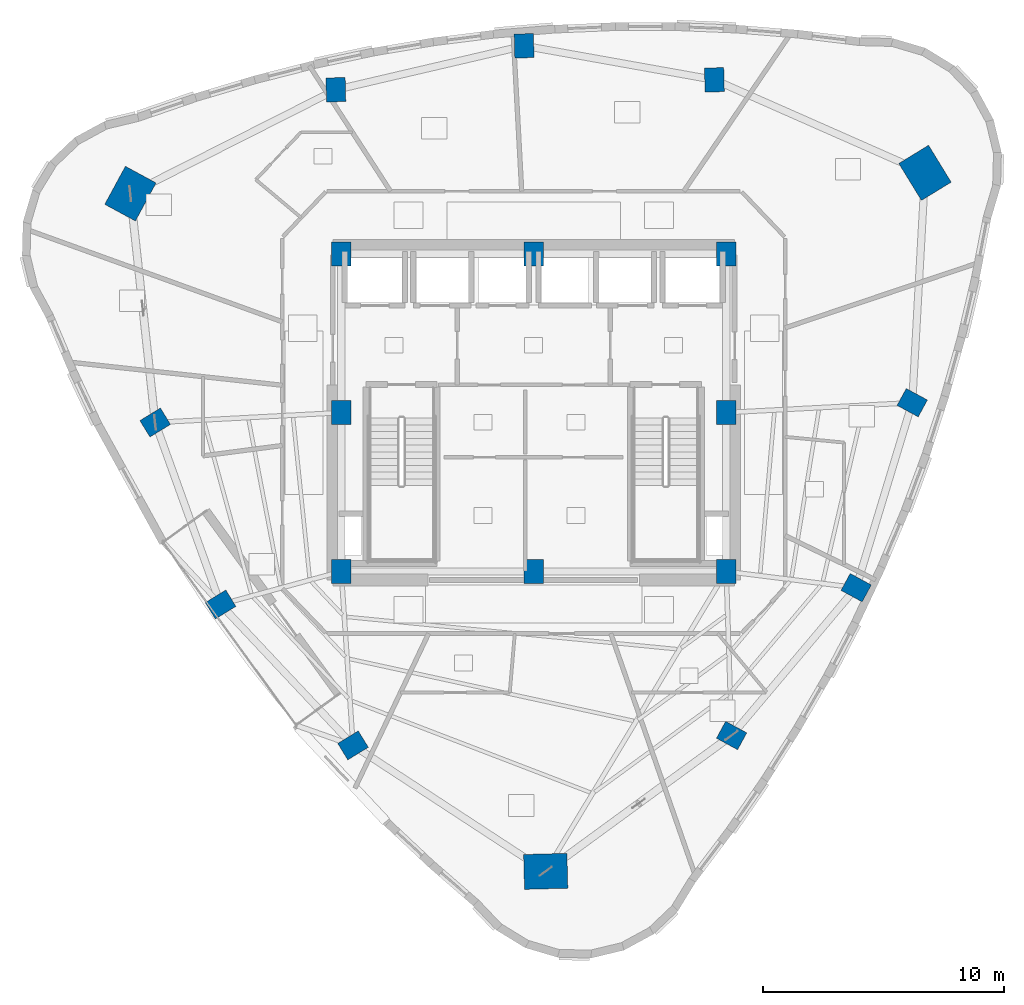
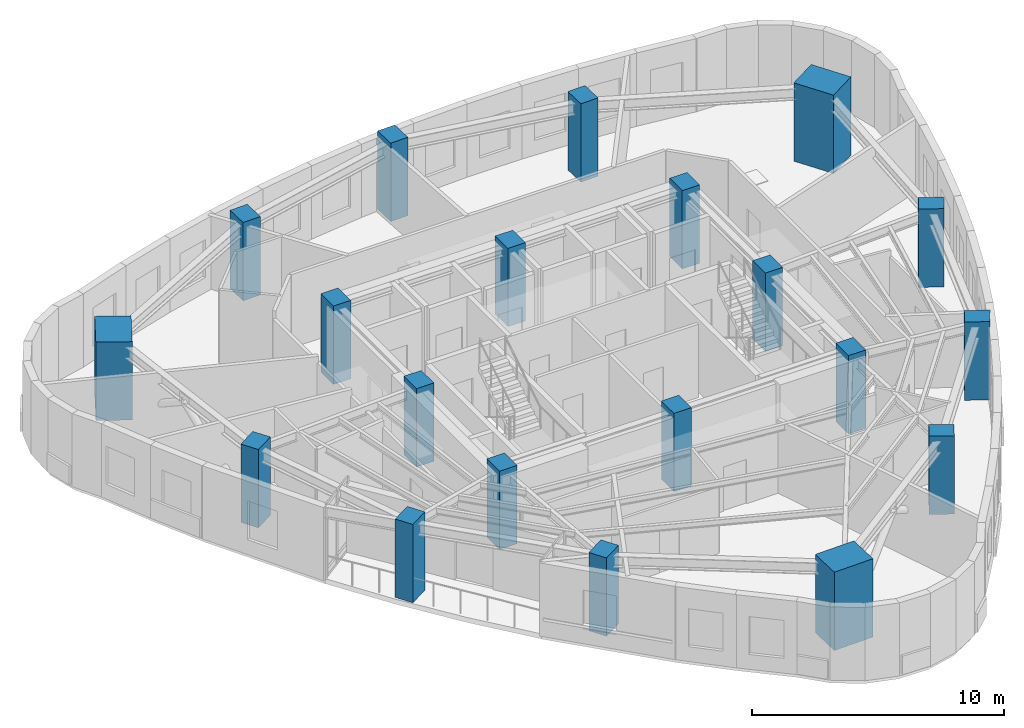
# One storey, part 1 of 13: 20 columns.
"""IFC4 building model written with IfcOpenShell, lengths in metres."""

from ifc_helpers import new_model, si_unit, direction, frame, origin, origin_2d, place, context, subcontext, project, spatial, rectangle, extrude, material, material_profile, profile_set, type_object, element, save


model = new_model("IFC4")

# Units and contexts
model_context = context("Model", 3, precision=1e-05, world=origin(), true_north=direction((0.0, 1.0)))
body_context = subcontext(model_context, "Body", "Model", "MODEL_VIEW")
ifc_project = project(units=[si_unit("LENGTHUNIT", "METRE"), si_unit("AREAUNIT", "SQUARE_METRE"), si_unit("VOLUMEUNIT", "CUBIC_METRE"), si_unit("PLANEANGLEUNIT", "RADIAN"), si_unit("MASSUNIT", "GRAM", prefix="KILO")], contexts=[model_context])

# Site, building, storey
site_placement = place(None, origin())
site = spatial("IfcSite", under=ifc_project, at=site_placement, CompositionType="ELEMENT")
building_placement = place(site_placement, origin())
building = spatial("IfcBuilding", under=site, at=building_placement, Name="Ndelora Gate Hotel", CompositionType="ELEMENT")
storey_placement = place(building_placement, frame((0.0, 0.0, 235.949951171875)))
storey = spatial("IfcBuildingStorey", under=building, at=storey_placement, Name="L59", CompositionType="ELEMENT", Elevation=235.949951171875)

# Columns
ifc_material = material(Name="Concrete C50/60", Category="concrete")
ifc_material_profile_1 = material_profile(ifc_material, rectangle(XDim=0.800048828125, YDim=1.0, at=origin_2d()), Name="RC 1000x800")
ifc_profile_set_1 = profile_set([ifc_material_profile_1], Name="Concrete C50/60")
column_type_1 = type_object("IfcColumnType", Name="COL-CC-HI", PredefinedType="COLUMN", material=ifc_profile_set_1)
for number, where, z_axis, x_axis, name in (
    (1, (-8.0, -6.60009765625, 0.0), (0.0, 0.0, 1.0), (1.0, 0.0, 0.0), "L59 Core Column CC1"),
    (2, (0.0, -6.60009765625, 0.0), (0.0, 0.0, 1.0), (1.0, 0.0, 0.0), "L59 Core Column CC2"),
    (3, (8.0, -6.60009765625, 0.0), (0.0, 0.0, 1.0), (1.0, 0.0, 0.0), "L59 Core Column CC3"),
    (4, (8.0, 0.0, 0.0), (0.0, 0.0, 1.0), (1.0, 0.0, 0.0), "L59 Core Column CC4"),
    (5, (8.0, 6.60009765625, 0.0), (0.0, 0.0, 1.0), (1.0, 0.0, 0.0), "L59 Core Column CC5"),
    (6, (0.0, 6.60009765625, 0.0), (0.0, 0.0, 1.0), (1.0, 0.0, 0.0), "L59 Core Column CC6"),
    (7, (-8.0, 6.60009765625, 0.0), (0.0, 0.0, 1.0), (1.0, 0.0, 0.0), "L59 Core Column CC7"),
    (8, (-8.0, 0.0, 0.0), (0.0, 0.0, 1.0), (1.0, 0.0, 0.0), "L59 Core Column CC8"),
):
    element("IfcColumn", number, at=place(storey_placement, frame(where, z_axis=z_axis, x_axis=x_axis)), inside=storey, type_object=column_type_1, Name=name, PredefinedType="COLUMN", context=body_context, shape_type="SweptSolid", body=[
        extrude(rectangle(XDim=0.800048828125, YDim=1.0, at=origin_2d()), origin(), (0.0, 0.0, 1.0), 3.800048828125),
    ])
ifc_material_profile_2 = material_profile(ifc_material, rectangle(XDim=1.449951171875, YDim=1.800048828125, at=origin_2d()), Name="RC 1800x1450")
ifc_profile_set_2 = profile_set([ifc_material_profile_2], Name="Concrete C50/60")
column_type_2 = type_object("IfcColumnType", Name="COL-MC-Z3", PredefinedType="COLUMN", material=ifc_profile_set_2)
for number, where, z_axis, x_axis, name in (
    (9, (-16.759521484375, 9.099609375, 0.0), (0.0, 0.0, 1.0), (-0.878817112662, 0.47715876026, 0.0), "L59 Corner Mega-Column R1"),
    (10, (0.499267578125, -19.064208984375, 0.0), (0.0, 0.0, 1.0), (-0.026176948308, 0.999657324976, 0.0), "L59 Corner Mega-Column R5"),
    (11, (16.26025390625, 9.96435546875, 0.0), (0.0, 0.0, 1.0), (0.852640164354, 0.522498564716, 0.0), "L59 Corner Mega-Column R9"),
):
    element("IfcColumn", number, at=place(storey_placement, frame(where, z_axis=z_axis, x_axis=x_axis)), inside=storey, type_object=column_type_2, Name=name, PredefinedType="COLUMN", context=body_context, shape_type="SweptSolid", body=[
        extrude(rectangle(XDim=1.449951171875, YDim=1.800048828125, at=origin_2d()), origin(), (0.0, 0.0, 1.0), 3.800048828125),
    ])
ifc_material_profile_3 = material_profile(ifc_material, rectangle(XDim=0.800048828125, YDim=1.0, at=origin_2d()), Name="RC 1000x800")
ifc_profile_set_3 = profile_set([ifc_material_profile_3], Name="Concrete C50/60")
column_type_3 = type_object("IfcColumnType", Name="COL-PT-Z3", PredefinedType="COLUMN", material=ifc_profile_set_3)
for number, where, z_axis, x_axis, name in (
    (12, (-15.72998046875, -0.411865234375, 0.0), (0.0, 0.0, 1.0), (-0.522498564716, 0.852640164354, 0.0), "L59 Perimeter Tube Column R2"),
    (13, (-13.011962890625, -7.973876953125, 0.0), (0.0, 0.0, 1.0), (-0.522498564716, 0.852640164354, 0.0), "L59 Perimeter Tube Column R3"),
    (14, (-7.50830078125, -13.828369140625, 0.0), (0.0, 0.0, 1.0), (-0.522498564716, 0.852640164354, 0.0), "L59 Perimeter Tube Column R4"),
    (15, (8.223876953125, -13.419921875, 0.0), (0.0, 0.0, 1.0), (0.47715876026, 0.878817112662, 0.0), "L59 Perimeter Tube Column R6"),
    (16, (13.400390625, -7.275634765625, 0.0), (0.0, 0.0, 1.0), (0.47715876026, 0.878817112662, 0.0), "L59 Perimeter Tube Column R7"),
    (17, (15.72998046875, 0.411865234375, 0.0), (0.0, 0.0, 1.0), (0.47715876026, 0.878817112662, 0.0), "L59 Perimeter Tube Column R8"),
    (18, (7.50830078125, 13.828369140625, 0.0), (0.0, 0.0, 1.0), (0.999657324976, 0.026176948308, 0.0), "L59 Perimeter Tube Column R10"),
    (19, (-0.399169921875, 15.242919921875, 0.0), (0.0, 0.0, 1.0), (0.999657324976, 0.026176948308, 0.0), "L59 Perimeter Tube Column R11"),
    (20, (-8.2216796875, 13.41650390625, 0.0), (0.0, 0.0, 1.0), (0.999657324976, 0.026176948308, 0.0), "L59 Perimeter Tube Column R12"),
):
    element("IfcColumn", number, at=place(storey_placement, frame(where, z_axis=z_axis, x_axis=x_axis)), inside=storey, type_object=column_type_3, Name=name, PredefinedType="COLUMN", context=body_context, shape_type="SweptSolid", body=[
        extrude(rectangle(XDim=0.800048828125, YDim=1.0, at=origin_2d()), origin(), (0.0, 0.0, 1.0), 3.800048828125),
    ])

save(model, "model.ifc")
